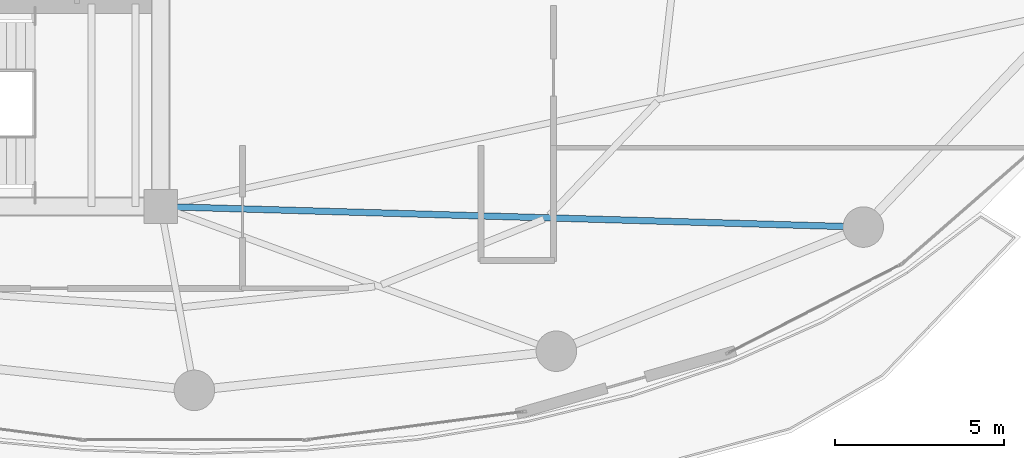
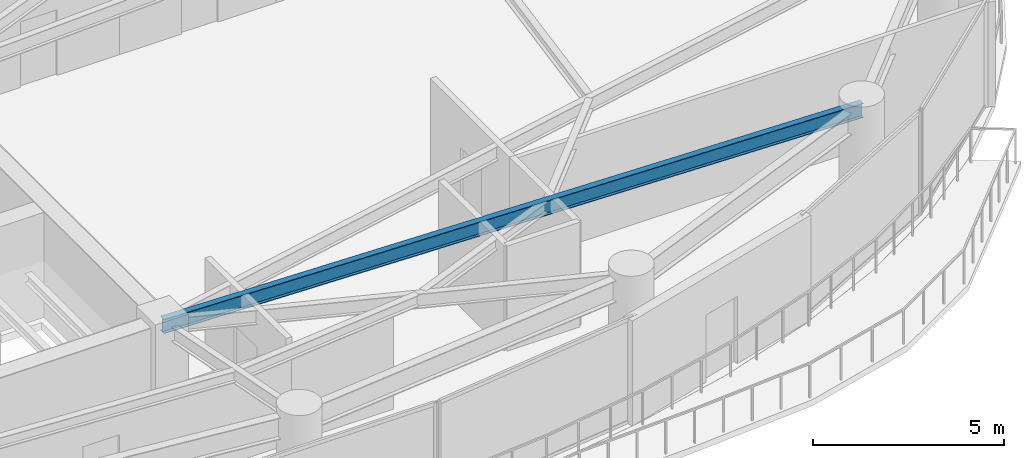
# One storey, part 10 of 28: 1 beam.
"""IFC4 building model written with IfcOpenShell, lengths in metres."""

import ifcopenshell
import ifcopenshell.guid

model = None  # the IFC model being written
_history = None  # IfcOwnerHistory: only IFC2X3 demands one
_inside = {}  # id of a spatial element -> (the spatial element, [elements in it])
_under = {}  # id of a project, library or spatial element -> (it, [spatial elements below it])
_declared = {}  # id of a project -> (the project, [libraries it declares])
_typed = {}  # id of a type object -> (the type object, [elements of that type])
_made_of = {}  # id of a material, layer set ... -> (it, [elements and type objects made of it])


def new_model(schema):
    """Start an empty IFC model of exactly this schema.

    Asked for "IFC4X3", IfcOpenShell would pick the latest addendum, in which some entities
    have other attributes; the version numbers below select the first issue.
    IFC2X3 requires an IfcOwnerHistory on every rooted entity: one is made here for all.
    """
    global model, _history
    if schema == "IFC4X3":
        model = ifcopenshell.file(schema_version=(4, 3, 0, 0))
    else:
        model = ifcopenshell.file(schema=schema)
    _inside.clear()
    _under.clear()
    _declared.clear()
    _typed.clear()
    _made_of.clear()
    _history = None
    if model.schema == "IFC2X3":
        org = make("IfcOrganization", Name="unknown")
        user = make(
            "IfcPersonAndOrganization",
            ThePerson=make("IfcPerson", FamilyName="unknown"),
            TheOrganization=org,
        )
        app = make(
            "IfcApplication",
            ApplicationDeveloper=org,
            Version="unknown",
            ApplicationFullName="unknown",
            ApplicationIdentifier="unknown",
        )
        _history = make(
            "IfcOwnerHistory",
            OwningUser=user,
            OwningApplication=app,
            ChangeAction="ADDED",
            CreationDate=0,
        )
    return model


def make(cls, **values):
    """One entity of the class cls with the attributes given. An attribute that is None is left unset."""
    return model.create_entity(
        cls, **{name: value for name, value in values.items() if value is not None}
    )


def rooted(cls, **values):
    """An entity with a GlobalId (a new one), such as an element, a storey or a relation."""
    return make(cls, GlobalId=ifcopenshell.guid.new(), OwnerHistory=_history, **values)


def si_unit(unit_type, name, prefix=None):
    """IfcSIUnit, for example si_unit("LENGTHUNIT", "METRE", prefix="MILLI")."""
    return make("IfcSIUnit", UnitType=unit_type, Prefix=prefix, Name=name)


def assignment(units):
    """IfcUnitAssignment: the units of a project."""
    return None if units is None else make("IfcUnitAssignment", Units=units)


def point(xyz):
    """IfcCartesianPoint."""
    return None if xyz is None else make("IfcCartesianPoint", Coordinates=xyz)


def direction(xyz):
    """IfcDirection."""
    return None if xyz is None else make("IfcDirection", DirectionRatios=xyz)


def frame(location, z_axis=None, x_axis=None):
    """IfcAxis2Placement3D, a coordinate frame: its origin and axes. An axis left out is left unset."""
    return make(
        "IfcAxis2Placement3D",
        Location=point(location),
        Axis=direction(z_axis),
        RefDirection=direction(x_axis),
    )


def frame_2d(location, x_axis=None):
    """IfcAxis2Placement2D, a coordinate frame in the plane: its origin and x axis."""
    return make(
        "IfcAxis2Placement2D", Location=point(location), RefDirection=direction(x_axis)
    )


def origin():
    """The frame at (0, 0, 0) with its axes left unset."""
    return frame((0.0, 0.0, 0.0))


def origin_2d():
    """The frame at (0, 0) in the plane with its x axis left unset."""
    return frame_2d((0.0, 0.0))


def place(relative_to, where):
    """IfcLocalPlacement: puts the frame where relative to a parent placement (None: the world)."""
    return make(
        "IfcLocalPlacement", PlacementRelTo=relative_to, RelativePlacement=where
    )


def context(
    kind, dimensions, precision=None, world=None, true_north=None, identifier=None
):
    """IfcGeometricRepresentationContext, for example the 3D "Model" context."""
    return make(
        "IfcGeometricRepresentationContext",
        ContextIdentifier=identifier,
        ContextType=kind,
        CoordinateSpaceDimension=dimensions,
        Precision=precision,
        WorldCoordinateSystem=world,
        TrueNorth=true_north,
    )


def subcontext(parent, identifier, kind, view, scale=None):
    """IfcGeometricRepresentationSubContext, for example "Body" below "Model"."""
    return make(
        "IfcGeometricRepresentationSubContext",
        ContextIdentifier=identifier,
        ContextType=kind,
        ParentContext=parent,
        TargetScale=scale,
        TargetView=view,
    )


def project(units=None, contexts=None):
    """IfcProject with its units and contexts."""
    return rooted(
        "IfcProject",
        Name="project",
        RepresentationContexts=contexts,
        UnitsInContext=assignment(units),
    )


def spatial(cls, under=None, at=None, **own):
    """A site, building, storey or space (cls), placed at a placement, below another one or the project."""
    s = rooted(cls, ObjectPlacement=at, **own)
    if under is not None:
        _under.setdefault(under.id(), (under, []))[1].append(s)
    return s


def profile(cls, at=None, kind="AREA", **sizes):
    """A parametric profile (cls). Its sizes go by their IFC names, for example OverallWidth=200.0."""
    return make(cls, ProfileType=kind, Position=at, **sizes)


def i_section(**sizes):
    """IfcIShapeProfileDef."""
    return profile("IfcIShapeProfileDef", **sizes)


def extrude(swept, where, along, depth):
    """IfcExtrudedAreaSolid: the profile swept, set in the frame where, extruded along a direction by depth."""
    return make(
        "IfcExtrudedAreaSolid",
        SweptArea=swept,
        Position=where,
        ExtrudedDirection=direction(along),
        Depth=depth,
    )


def shape(context_of_items, identifier, shape_type, items):
    """IfcShapeRepresentation: the items that make up one representation, for example the "Body"."""
    return make(
        "IfcShapeRepresentation",
        ContextOfItems=context_of_items,
        RepresentationIdentifier=identifier,
        RepresentationType=shape_type,
        Items=items,
    )


def material(Name=None, Category=None):
    """IfcMaterial."""
    return make("IfcMaterial", Name=Name, Category=Category)


def material_profile(
    of_material, cross_section, Name=None, Category=None, Priority=None
):
    """IfcMaterialProfile: a cross section and its material."""
    return make(
        "IfcMaterialProfile",
        Name=Name,
        Material=of_material,
        Profile=cross_section,
        Priority=Priority,
        Category=Category,
    )


def profile_set(profiles, Name=None, composite=None):
    """IfcMaterialProfileSet."""
    return make(
        "IfcMaterialProfileSet",
        Name=Name,
        MaterialProfiles=profiles,
        CompositeProfile=composite,
    )


def made_of(thing, what):
    """Note that an element or type object is made of a material, layer set ...; save() writes the relation."""
    if what is not None:
        _made_of.setdefault(what.id(), (what, []))[1].append(thing)
    return thing


def type_object(cls, material=None, **own):
    """A type object (cls), such as IfcWallType, which elements share."""
    return made_of(rooted(cls, **own), material)


def element(
    cls,
    number,
    at=None,
    inside=None,
    cuts=None,
    type_object=None,
    material=None,
    context=None,
    identifier="Body",
    shape_type=None,
    held_by="IfcProductDefinitionShape",
    body=None,
    shapes=None,
    **own,
):
    """One element of the class cls, such as IfcWall. Its Tag is "e" and its number.

    at: its placement. inside: the storey or other place that contains it. cuts: it is an
    opening in that element (IfcRelVoidsElement). A single representation is given by context,
    identifier, shape_type and body (its items); several are given by shapes. held_by: the class
    of the entity that holds the representations. save() writes the other relations.
    """
    e = rooted(cls, Tag="e%d" % number, ObjectPlacement=at, **own)
    if body is not None:
        shapes = [shape(context, identifier, shape_type, body)]
    if shapes is not None:
        e.Representation = make(held_by, Representations=shapes)
    if inside is not None:
        _inside.setdefault(inside.id(), (inside, []))[1].append(e)
    if cuts is not None:
        rooted(
            "IfcRelVoidsElement", RelatingBuildingElement=cuts, RelatedOpeningElement=e
        )
    if type_object is not None:
        _typed.setdefault(type_object.id(), (type_object, []))[1].append(e)
    return made_of(e, material)


def aggregate(whole, parts):
    """IfcRelAggregates: a whole, such as a stair, and the parts it consists of."""
    return rooted("IfcRelAggregates", RelatingObject=whole, RelatedObjects=parts)


def save(model, path):
    """Write the relations noted so far, then the file.

    IfcRelAggregates (storeys below a building ...), IfcRelContainedInSpatialStructure (elements
    in a storey), IfcRelDefinesByType, IfcRelAssociatesMaterial and IfcRelDeclares: one each for
    every whole, place, type object, material and project.
    """
    for whole, parts in _under.values():
        aggregate(whole, parts)
    for where, things in _inside.values():
        rooted(
            "IfcRelContainedInSpatialStructure",
            RelatedElements=things,
            RelatingStructure=where,
        )
    for kind, things in _typed.values():
        rooted("IfcRelDefinesByType", RelatedObjects=things, RelatingType=kind)
    for what, things in _made_of.values():
        rooted("IfcRelAssociatesMaterial", RelatedObjects=things, RelatingMaterial=what)
    for by, libraries in _declared.values():
        rooted("IfcRelDeclares", RelatingContext=by, RelatedDefinitions=libraries)
    model.write(path)


model = new_model("IFC4")

# Units and contexts
model_context = context("Model", 3, precision=1e-05, world=origin(), true_north=direction((0.0, 1.0)))
body_context = subcontext(model_context, "Body", "Model", "MODEL_VIEW")
ifc_project = project(units=[si_unit("LENGTHUNIT", "METRE"), si_unit("AREAUNIT", "SQUARE_METRE"), si_unit("VOLUMEUNIT", "CUBIC_METRE"), si_unit("PLANEANGLEUNIT", "RADIAN"), si_unit("MASSUNIT", "GRAM", prefix="KILO")], contexts=[model_context])

# Site, building, storey
site_placement = place(None, origin())
site = spatial("IfcSite", under=ifc_project, at=site_placement, CompositionType="ELEMENT")
building_placement = place(site_placement, origin())
building = spatial("IfcBuilding", under=site, at=building_placement, Name="Kazevale Care Tower and Concert Hall", CompositionType="ELEMENT")
storey_placement = place(building_placement, frame((0.0, 0.0, 135.0)))
storey = spatial("IfcBuildingStorey", under=building, at=storey_placement, Name="L35", CompositionType="ELEMENT", Elevation=135.0)

# Beam
ifc_material = material(Name="Steel ASTM A572 Gr 50", Category="steel")
ifc_material_profile = material_profile(ifc_material, i_section(OverallWidth=0.19091796875, OverallDepth=0.4599609375, WebThickness=0.010009765625, FlangeThickness=0.01611328125, at=origin_2d()), Name="W460x82")
ifc_profile_set = profile_set([ifc_material_profile], Name="Steel ASTM A572 Gr 50")
beam_type = type_object("IfcBeamType", Name="Radial Floor Beam W460x82", PredefinedType="BEAM", material=ifc_profile_set)
beam_placement = place(storey_placement, frame((44.0, 23.60009765625, 3.1298828125), z_axis=(0.99957133157, -0.029277177187, 0.0), x_axis=(0.029277177187, 0.99957133157, 0.0)))
element("IfcBeam", 1, at=beam_placement, inside=storey, type_object=beam_type, Name="beam:L35:rad:15", PredefinedType="BEAM", context=body_context, shape_type="SweptSolid", body=[
    extrude(i_section(OverallWidth=0.19091796875, OverallDepth=0.4599609375, WebThickness=0.010009765625, FlangeThickness=0.01611328125, at=origin_2d()), origin(), (0.0, 0.0, 1.0), 20.839111328125),
])

save(model, "model.ifc")
